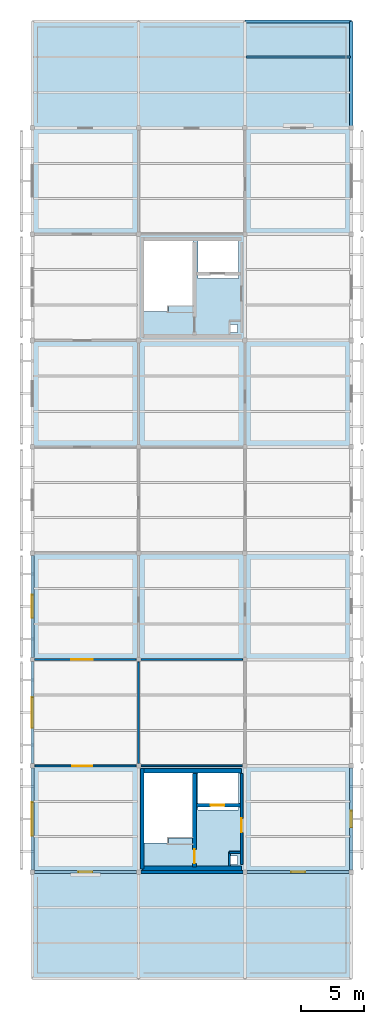
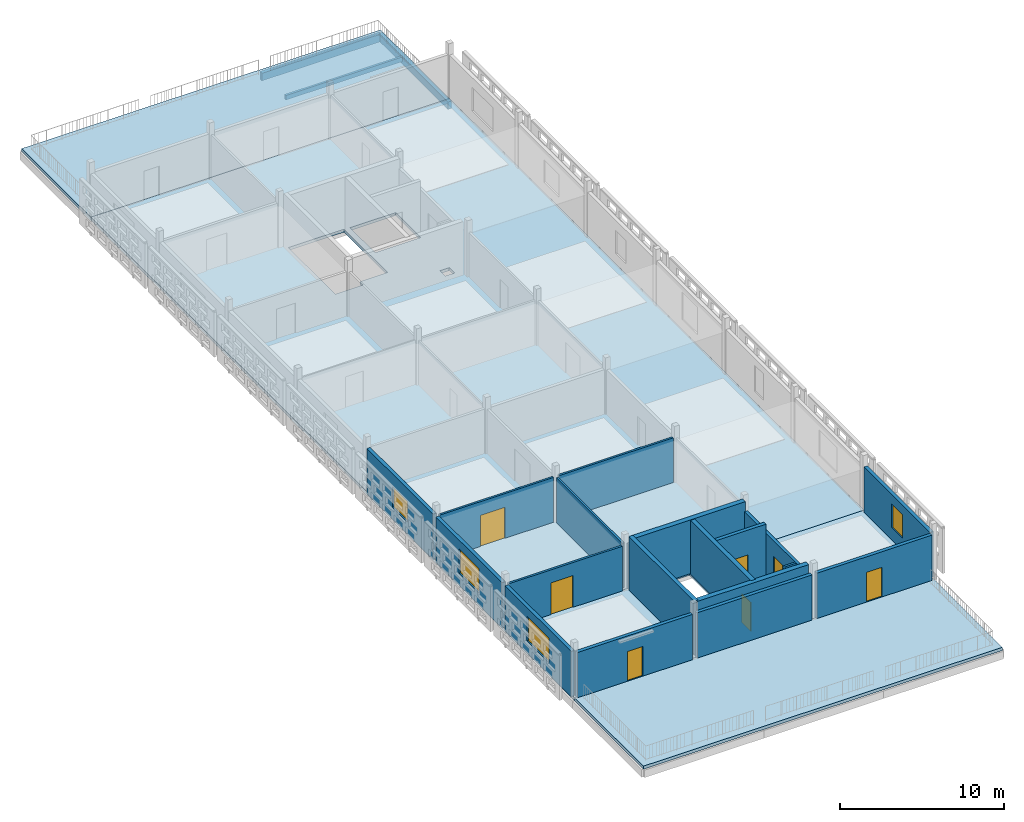
# One storey, part 2 of 13: 20 walls, 7 doors, 4 slabs, 4 windows, 3 beams, 11 openings.
"""IFC4 building model written with IfcOpenShell, lengths in metres."""

from ifc_helpers import new_model, si_unit, direction, frame, frame_2d, origin, origin_2d, place, context, subcontext, project, spatial, polyline, rectangle, outline, extrude, material, layer, layer_set, material_profile, profile_set, type_object, element, fill, save


model = new_model("IFC4")

# Units and contexts
model_context = context("Model", 3, precision=1e-05, world=origin(), true_north=direction((0.0, 1.0)))
body_context = subcontext(model_context, "Body", "Model", "MODEL_VIEW")
ifc_project = project(units=[si_unit("LENGTHUNIT", "METRE"), si_unit("AREAUNIT", "SQUARE_METRE"), si_unit("VOLUMEUNIT", "CUBIC_METRE"), si_unit("PLANEANGLEUNIT", "RADIAN"), si_unit("MASSUNIT", "GRAM", prefix="KILO")], contexts=[model_context])

# Site, building, storey
site_placement = place(None, origin())
site = spatial("IfcSite", under=ifc_project, at=site_placement, CompositionType="ELEMENT")
building_placement = place(site_placement, origin())
building = spatial("IfcBuilding", under=site, at=building_placement, Name="Varnapada Polytechnic", CompositionType="ELEMENT")
storey_placement = place(building_placement, frame((0.0, 0.0, 26.39990234375)))
storey = spatial("IfcBuildingStorey", under=building, at=storey_placement, Name="L06", CompositionType="ELEMENT", Elevation=26.39990234375)

# Beams
ifc_material_1 = material(Name="Glulam GL32h", Category="wood")
ifc_material_profile_1 = material_profile(ifc_material_1, rectangle(XDim=0.239990234375, YDim=0.56005859375, at=origin_2d()), Name="GL 240x560")
ifc_profile_set_1 = profile_set([ifc_material_profile_1], Name="Glulam GL32h")
beam_type_1 = type_object("IfcBeamType", Name="Perimeter glulam spandrel beam SP-02 (GL 240x560)", PredefinedType="SPANDREL", material=ifc_profile_set_1)
for number, where, z_axis, x_axis, name in (
    (1, (16.800048828125, 126.0, -0.510009765625), (1.0, 0.0, 0.0), (0.0, 1.0, 0.0), "L06 beam X 3-4 at Y16"),
    (2, (25.199951171875, 117.60009765625, -0.510009765625), (0.0, 1.0, 0.0), (-1.0, 0.0, 0.0), "L06 beam Y 15-16 at X4"),
):
    element("IfcBeam", number, at=place(storey_placement, frame(where, z_axis=z_axis, x_axis=x_axis)), inside=storey, type_object=beam_type_1, Name=name, PredefinedType="SPANDREL", context=body_context, shape_type="SweptSolid", body=[
        extrude(rectangle(XDim=0.239990234375, YDim=0.56005859375, at=origin_2d()), origin(), (0.0, 0.0, 1.0), 8.39990234375),
    ])
ifc_material_profile_2 = material_profile(ifc_material_1, rectangle(XDim=0.159912109375, YDim=0.340087890625, at=origin_2d()), Name="GL 160x340")
ifc_profile_set_2 = profile_set([ifc_material_profile_2], Name="Glulam GL32h")
beam_type_2 = type_object("IfcBeamType", Name="Top studio light glulam joist GJ-05 (GL 160x340)", PredefinedType="JOIST", material=ifc_profile_set_2)
beam_placement = place(storey_placement, frame((16.8798828125, 123.199951171875, -0.39990234375), z_axis=(1.0, 0.0, 0.0), x_axis=(0.0, 1.0, 0.0)))
element("IfcBeam", 3, at=beam_placement, inside=storey, type_object=beam_type_2, Name="L06 floor joist 3/15.2", PredefinedType="JOIST", context=body_context, shape_type="SweptSolid", body=[
    extrude(rectangle(XDim=0.159912109375, YDim=0.340087890625, at=origin_2d()), origin(), (0.0, 0.0, 1.0), 8.240234375),
])

# Slabs
ifc_material_2 = material(Name="Cross-laminated timber CLT C24", Category="wood")
ifc_layer_1 = layer(ifc_material_2, 0.219970703125)
ifc_layer_set_1 = layer_set([ifc_layer_1], Name="Cross-laminated timber CLT C24")
slab_type_1 = type_object("IfcSlabType", Name="L04..L06 design studio CLT slab SL-08", PredefinedType="FLOOR", material=ifc_layer_set_1)
slab_1_placement = place(storey_placement, frame((0.0, 0.0, -0.219970703125)))
element("IfcSlab", 4, at=slab_1_placement, inside=storey, type_object=slab_type_1, Name="L06 V4 slab 1.1", PredefinedType="FLOOR", context=body_context, shape_type="SweptSolid", body=[
    extrude(outline(polyline([(0.0, 58.800048828125), (0.0, 67.199951171875), (8.39990234375, 67.199951171875), (16.800048828125, 67.199951171875), (25.199951171875, 67.199951171875), (25.199951171875, 58.800048828125), (16.800048828125, 58.800048828125), (8.39990234375, 58.800048828125), (0.0, 58.800048828125)]), holes=[polyline([(8.800048828125, 61.110107421875), (10.75, 61.110107421875), (10.75, 61.510009765625), (12.699951171875, 61.510009765625), (12.699951171875, 66.800048828125), (8.800048828125, 66.800048828125), (8.800048828125, 61.110107421875)]), polyline([(13.10009765625, 63.699951171875), (16.300048828125, 63.699951171875), (16.300048828125, 66.75), (13.10009765625, 66.75), (13.10009765625, 63.699951171875)]), polyline([(15.550048828125, 59.419921875), (16.199951171875, 59.419921875), (16.199951171875, 60.070068359375), (15.550048828125, 60.070068359375), (15.550048828125, 59.419921875)])]), origin(), (0.0, 0.0, 1.0), 0.219970703125),
])
slab_2_placement = place(storey_placement, frame((0.0, 0.0, -0.219970703125)))
element("IfcSlab", 5, at=slab_2_placement, inside=storey, type_object=slab_type_1, Name="L06 V4 slab 2.1", PredefinedType="FLOOR", context=body_context, shape_type="SweptSolid", body=[
    extrude(outline(polyline([(0.0, 84.0), (0.0, 92.39990234375), (0.0, 100.800048828125), (0.0, 109.199951171875), (0.0, 117.60009765625), (8.39990234375, 117.60009765625), (16.800048828125, 117.60009765625), (25.199951171875, 117.60009765625), (25.199951171875, 109.199951171875), (25.199951171875, 100.800048828125), (25.199951171875, 92.39990234375), (25.199951171875, 84.0), (25.199951171875, 75.60009765625), (25.199951171875, 67.199951171875), (16.800048828125, 67.199951171875), (8.39990234375, 67.199951171875), (0.0, 67.199951171875), (0.0, 75.60009765625), (0.0, 84.0)]), holes=[polyline([(8.800048828125, 103.110107421875), (10.75, 103.110107421875), (10.75, 103.510009765625), (12.699951171875, 103.510009765625), (12.699951171875, 108.800048828125), (8.800048828125, 108.800048828125), (8.800048828125, 103.110107421875)]), polyline([(13.10009765625, 105.699951171875), (16.300048828125, 105.699951171875), (16.300048828125, 108.75), (13.10009765625, 108.75), (13.10009765625, 105.699951171875)]), polyline([(15.550048828125, 101.419921875), (16.199951171875, 101.419921875), (16.199951171875, 102.070068359375), (15.550048828125, 102.070068359375), (15.550048828125, 101.419921875)])]), origin(), (0.0, 0.0, 1.0), 0.219970703125),
])
ifc_layer_2 = layer(ifc_material_2, 0.22998046875)
ifc_layer_set_2 = layer_set([ifc_layer_2], Name="Cross-laminated timber CLT C24")
slab_type_2 = type_object("IfcSlabType", Name="L04..L06 occupied studio roof terrace slab SL-10", PredefinedType="FLOOR", material=ifc_layer_set_2)
slab_3_placement = place(storey_placement, frame((0.0, 0.0, -0.22998046875)))
element("IfcSlab", 6, at=slab_3_placement, inside=storey, type_object=slab_type_2, Name="L06 V4_CROWN_TERRACE slab 1.1", PredefinedType="FLOOR", context=body_context, shape_type="SweptSolid", body=[
    extrude(outline(polyline([(0.0, 58.800048828125), (8.39990234375, 58.800048828125), (16.800048828125, 58.800048828125), (25.199951171875, 58.800048828125), (25.199951171875, 50.39990234375), (16.800048828125, 50.39990234375), (8.39990234375, 50.39990234375), (0.0, 50.39990234375), (0.0, 58.800048828125)])), origin(), (0.0, 0.0, 1.0), 0.22998046875),
])
slab_4_placement = place(storey_placement, frame((0.0, 0.0, -0.22998046875)))
element("IfcSlab", 7, at=slab_4_placement, inside=storey, type_object=slab_type_2, Name="L06 V4_CROWN_TERRACE slab 1.2", PredefinedType="FLOOR", context=body_context, shape_type="SweptSolid", body=[
    extrude(outline(polyline([(0.0, 126.0), (8.39990234375, 126.0), (16.800048828125, 126.0), (25.199951171875, 126.0), (25.199951171875, 117.60009765625), (16.800048828125, 117.60009765625), (8.39990234375, 117.60009765625), (0.0, 117.60009765625), (0.0, 126.0)])), origin(), (0.0, 0.0, 1.0), 0.22998046875),
])

# Wall, opening, door
ifc_material_3 = material(Name="Autoclaved Aerated Concrete Block AAC-600", Category="concrete")
ifc_layer_3 = layer(ifc_material_3, 0.199951171875)
ifc_layer_set_3 = layer_set([ifc_layer_3], Name="Autoclaved Aerated Concrete Block AAC-600")
wall_type_1 = type_object("IfcWallType", Name="Interior Wall IW-01", PredefinedType="PARTITIONING", material=ifc_layer_set_3)
wall_1_placement = place(storey_placement, frame((16.5400390625, 66.60009765625, 0.0), z_axis=(0.0, 0.0, 1.0), x_axis=(0.0, -1.0, 0.0)))
wall_1 = element("IfcWall", 8, at=wall_1_placement, inside=storey, type_object=wall_type_1, Name="L06 C2 firefighting lobby east wall", PredefinedType="PARTITIONING", context=body_context, shape_type="SweptSolid", body=[
    extrude(rectangle(XDim=7.2001953125, YDim=0.199951171875, at=frame_2d((3.60009765625, 0.0))), origin(), (0.0, 0.0, 1.0), 3.320068359375),
])
opening_1_placement = place(wall_1_placement, frame((3.550048828125, 0.0, 0.0)))
opening_1 = element("IfcOpeningElement", 9, at=opening_1_placement, cuts=wall_1, Name="Opening D-1332", PredefinedType="OPENING", context=body_context, shape_type="SweptSolid", body=[
    extrude(rectangle(XDim=1.10009765625, YDim=2.14990234375, at=frame_2d((0.550048828125, 1.074951171875))), frame((0.0, 0.10986328125, 0.0), z_axis=(0.0, -1.0, 0.0), x_axis=(1.0, 0.0, 0.0)), (0.0, 0.0, 1.0), 0.219970703125),
])
ifc_material_4 = material(Name="Galvanized Steel Z275", Category="steel")
door_type_1 = type_object("IfcDoorType", Name="Interior Door ID-01", OperationType="NOTDEFINED", PredefinedType="DOOR", material=ifc_material_4)
door_1_placement = place(opening_1_placement, frame((1.10009765625, 0.0, 0.0), z_axis=(0.0, 0.0, 1.0), x_axis=(-1.0, 0.0, 0.0)))
door_1 = element("IfcDoor", 10, at=door_1_placement, inside=storey, type_object=door_type_1, Name="L06 C2 lobby fire door D-1332", OperationType="SINGLE_SWING_RIGHT", OverallHeight=2.14990234375, OverallWidth=1.10009765625, PredefinedType="DOOR", context=body_context, shape_type="SweptSolid", body=[
    extrude(rectangle(XDim=1.10009765625, YDim=2.14990234375, at=frame_2d((0.550048828125, 1.074951171875))), frame((0.0, 0.02490234375, 0.0), z_axis=(0.0, -1.0, 0.0), x_axis=(1.0, 0.0, 0.0)), (0.0, 0.0, 1.0), 0.050048828125),
])
fill(opening_1, door_1)

# Walls
ifc_layer_4 = layer(ifc_material_3, 0.14990234375)
ifc_layer_set_4 = layer_set([ifc_layer_4], Name="Autoclaved Aerated Concrete Block AAC-600")
wall_type_2 = type_object("IfcWallType", Name="Interior Wall IW-02", PredefinedType="PARTITIONING", material=ifc_layer_set_4)
wall_2_placement = place(storey_placement, frame((15.580078125, 60.360107421875, 0.0), z_axis=(0.0, 0.0, 1.0), x_axis=(0.0, -1.0, 0.0)))
element("IfcWall", 11, at=wall_2_placement, inside=storey, type_object=wall_type_2, Name="L06 C2 riser shaft west wall", PredefinedType="PARTITIONING", context=body_context, shape_type="SweptSolid", body=[
    extrude(rectangle(XDim=1.06005859375, YDim=0.14990234375, at=frame_2d((0.530029296875, 0.0))), origin(), (0.0, 0.0, 1.0), 3.320068359375),
])
wall_3_placement = place(storey_placement, frame((15.580078125, 60.360107421875, 0.0), z_axis=(0.0, 0.0, 1.0), x_axis=(1.0, 0.0, 0.0)))
element("IfcWall", 12, at=wall_3_placement, inside=storey, type_object=wall_type_2, Name="L06 C2 riser shaft north wall", PredefinedType="PARTITIONING", context=body_context, shape_type="SweptSolid", body=[
    extrude(rectangle(XDim=0.85986328125, YDim=0.14990234375, at=frame_2d((0.429931640625, 0.0))), origin(), (0.0, 0.0, 1.0), 3.320068359375),
])

# Wall, opening, door
wall_4_placement = place(storey_placement, frame((0.199951171875, 67.199951171875, 0.0), z_axis=(0.0, 0.0, 1.0), x_axis=(1.0, 0.0, 0.0)))
wall_4 = element("IfcWall", 13, at=wall_4_placement, inside=storey, type_object=wall_type_2, Name="L06 interior partition IW-L06-00-07-H", PredefinedType="PARTITIONING", context=body_context, shape_type="SweptSolid", body=[
    extrude(rectangle(XDim=8.0, YDim=0.14990234375, at=frame_2d((4.0, 0.0))), origin(), (0.0, 0.0, 1.0), 3.320068359375),
])
opening_2_placement = place(wall_4_placement, frame((2.97509765625, 0.0, 0.0)))
opening_2 = element("IfcOpeningElement", 14, at=opening_2_placement, cuts=wall_4, Name="Opening D-1336", PredefinedType="OPENING", context=body_context, shape_type="SweptSolid", body=[
    extrude(rectangle(XDim=1.550048828125, YDim=2.35009765625, at=frame_2d((0.77490234375, 1.175048828125))), frame((0.0, 0.0849609375, 0.0), z_axis=(0.0, -1.0, 0.0), x_axis=(1.0, 0.0, 0.0)), (0.0, 0.0, 1.0), 0.169921875),
])
door_type_2 = type_object("IfcDoorType", Name="Interior Door ID-12", OperationType="NOTDEFINED", PredefinedType="DOOR", material=ifc_material_4)
door_2_placement = place(opening_2_placement, origin())
door_2 = element("IfcDoor", 15, at=door_2_placement, inside=storey, type_object=door_type_2, Name="L06 interior room door D-1336", OperationType="SINGLE_SWING_LEFT", OverallHeight=2.35009765625, OverallWidth=1.550048828125, PredefinedType="DOOR", context=body_context, shape_type="SweptSolid", body=[
    extrude(rectangle(XDim=1.550048828125, YDim=2.35009765625, at=frame_2d((0.77490234375, 1.175048828125))), frame((0.0, 0.02490234375, 0.0), z_axis=(0.0, -1.0, 0.0), x_axis=(1.0, 0.0, 0.0)), (0.0, 0.0, 1.0), 0.050048828125),
])
fill(opening_2, door_2)

# Wall
ifc_material_5 = material(Name="Moisture-Resistant Cement Board Partition")
ifc_layer_5 = layer(ifc_material_5, 0.139892578125)
ifc_layer_set_5 = layer_set([ifc_layer_5], Name="Moisture-Resistant Cement Board Partition")
wall_type_3 = type_object("IfcWallType", Name="Interior Wall IW-04", PredefinedType="PARTITIONING", material=ifc_layer_set_5)
wall_5_placement = place(storey_placement, frame((8.39990234375, 67.39990234375, 0.0), z_axis=(0.0, 0.0, 1.0), x_axis=(0.0, 1.0, 0.0)))
element("IfcWall", 16, at=wall_5_placement, inside=storey, type_object=wall_type_3, Name="L06 interior partition IW-L06-00-08-V", PredefinedType="PARTITIONING", context=body_context, shape_type="SweptSolid", body=[
    extrude(rectangle(XDim=8.010009765625, YDim=0.139892578125, at=frame_2d((4.0048828125, 0.0))), origin(), (0.0, 0.0, 1.0), 3.320068359375),
])

# Wall, opening, door
wall_6_placement = place(storey_placement, frame((0.18994140625, 75.60009765625, 0.0), z_axis=(0.0, 0.0, 1.0), x_axis=(1.0, 0.0, 0.0)))
wall_6 = element("IfcWall", 17, at=wall_6_placement, inside=storey, type_object=wall_type_3, Name="L06 interior partition IW-L06-00-08-H", PredefinedType="PARTITIONING", context=body_context, shape_type="SweptSolid", body=[
    extrude(rectangle(XDim=8.02001953125, YDim=0.139892578125, at=frame_2d((4.010009765625, 0.0))), origin(), (0.0, 0.0, 1.0), 3.320068359375),
])
opening_3_placement = place(wall_6_placement, frame((2.89990234375, 0.0, 0.0)))
opening_3 = element("IfcOpeningElement", 18, at=opening_3_placement, cuts=wall_6, Name="Opening D-1337", PredefinedType="OPENING", context=body_context, shape_type="SweptSolid", body=[
    extrude(rectangle(XDim=1.699951171875, YDim=2.300048828125, at=frame_2d((0.85009765625, 1.14990234375))), frame((0.0, 0.079833984375, 0.0), z_axis=(0.0, -1.0, 0.0), x_axis=(1.0, 0.0, 0.0)), (0.0, 0.0, 1.0), 0.159912109375),
])
ifc_material_6 = material(Name="Acoustic Double Timber Leaf", Category="wood")
door_type_3 = type_object("IfcDoorType", Name="Interior Door ID-13", OperationType="NOTDEFINED", PredefinedType="DOOR", material=ifc_material_6)
door_3_placement = place(opening_3_placement, frame((1.699951171875, 0.0, 0.0), z_axis=(0.0, 0.0, 1.0), x_axis=(-1.0, 0.0, 0.0)))
door_3 = element("IfcDoor", 19, at=door_3_placement, inside=storey, type_object=door_type_3, Name="L06 interior room door D-1337", OperationType="SINGLE_SWING_RIGHT", OverallHeight=2.300048828125, OverallWidth=1.699951171875, PredefinedType="DOOR", context=body_context, shape_type="SweptSolid", body=[
    extrude(rectangle(XDim=1.699951171875, YDim=2.300048828125, at=frame_2d((0.85009765625, 1.14990234375))), frame((0.0, 0.02490234375, 0.0), z_axis=(0.0, -1.0, 0.0), x_axis=(1.0, 0.0, 0.0)), (0.0, 0.0, 1.0), 0.050048828125),
])
fill(opening_3, door_3)

# Walls
wall_7_placement = place(storey_placement, frame((8.60009765625, 67.199951171875, 0.0), z_axis=(0.0, 0.0, 1.0), x_axis=(1.0, 0.0, 0.0)))
element("IfcWall", 20, at=wall_7_placement, inside=storey, type_object=wall_type_3, Name="L06 interior partition IW-L06-01-07-H", PredefinedType="PARTITIONING", context=body_context, shape_type="SweptSolid", body=[
    extrude(rectangle(XDim=8.0, YDim=0.139892578125, at=frame_2d((4.0, 0.0))), origin(), (0.0, 0.0, 1.0), 3.320068359375),
])
wall_8_placement = place(storey_placement, frame((8.590087890625, 75.60009765625, 0.0), z_axis=(0.0, 0.0, 1.0), x_axis=(1.0, 0.0, 0.0)))
element("IfcWall", 21, at=wall_8_placement, inside=storey, type_object=wall_type_3, Name="L06 interior partition IW-L06-01-08-H", PredefinedType="PARTITIONING", context=body_context, shape_type="SweptSolid", body=[
    extrude(rectangle(XDim=8.02001953125, YDim=0.139892578125, at=frame_2d((4.010009765625, 0.0))), origin(), (0.0, 0.0, 1.0), 3.320068359375),
])
ifc_material_7 = material(Name="Concrete C40/50", Category="concrete")
ifc_layer_6 = layer(ifc_material_7, 0.35009765625)
ifc_layer_set_6 = layer_set([ifc_layer_6], Name="Concrete C40/50")
wall_type_4 = type_object("IfcWallType", Name="Interior Wall SW-01", PredefinedType="SHEAR", material=ifc_layer_set_6)
for number, where, z_axis, x_axis, name in (
    (22, (8.699951171875, 66.820068359375, 0.0), (0.0, 0.0, 1.0), (1.0, 0.0, 0.0), "L06 C2 core north shear wall"),
    (23, (16.5400390625, 59.1201171875, 0.0), (0.0, 0.0, 1.0), (-1.0, 0.0, 0.0), "L06 C2 core south shear wall"),
):
    element("IfcWall", number, at=place(storey_placement, frame(where, z_axis=z_axis, x_axis=x_axis)), inside=storey, type_object=wall_type_4, Name=name, PredefinedType="SHEAR", context=body_context, shape_type="SweptSolid", body=[
        extrude(rectangle(XDim=7.840087890625, YDim=0.35009765625, at=frame_2d((3.919921875, 0.0))), origin(), (0.0, 0.0, 1.0), 3.989990234375),
    ])

# Wall, opening, door
ifc_layer_7 = layer(ifc_material_7, 0.300048828125)
ifc_layer_set_7 = layer_set([ifc_layer_7], Name="Concrete C40/50")
wall_type_5 = type_object("IfcWallType", Name="Interior Wall SW-02", PredefinedType="SHEAR", material=ifc_layer_set_7)
wall_9_placement = place(storey_placement, frame((12.81005859375, 59.219970703125, 0.0), z_axis=(0.0, 0.0, 1.0), x_axis=(0.0, 1.0, 0.0)))
wall_9 = element("IfcWall", 24, at=wall_9_placement, inside=storey, type_object=wall_type_5, Name="L06 C2 stair-lobby dividing shear wall", PredefinedType="SHEAR", context=body_context, shape_type="SweptSolid", body=[
    extrude(rectangle(XDim=7.380126953125, YDim=0.300048828125, at=frame_2d((3.68994140625, 0.0))), origin(), (0.0, 0.0, 1.0), 3.989990234375),
])
opening_4_placement = place(wall_9_placement, frame((0.280029296875, 0.0, 0.0)))
opening_4 = element("IfcOpeningElement", 25, at=opening_4_placement, cuts=wall_9, Name="Opening D-1333", PredefinedType="OPENING", context=body_context, shape_type="SweptSolid", body=[
    extrude(rectangle(XDim=1.10009765625, YDim=2.14990234375, at=frame_2d((0.550048828125, 1.074951171875))), frame((0.0, 0.159912109375, 0.0), z_axis=(0.0, -1.0, 0.0), x_axis=(1.0, 0.0, 0.0)), (0.0, 0.0, 1.0), 0.320068359375),
])
door_4_placement = place(opening_4_placement, origin())
door_4 = element("IfcDoor", 26, at=door_4_placement, inside=storey, type_object=door_type_1, Name="L06 C2 exit stair door D-1333", OperationType="SINGLE_SWING_RIGHT", OverallHeight=2.14990234375, OverallWidth=1.10009765625, PredefinedType="DOOR", context=body_context, shape_type="SweptSolid", body=[
    extrude(rectangle(XDim=1.10009765625, YDim=2.14990234375, at=frame_2d((0.550048828125, 1.074951171875))), frame((0.0, 0.02490234375, 0.0), z_axis=(0.0, -1.0, 0.0), x_axis=(1.0, 0.0, 0.0)), (0.0, 0.0, 1.0), 0.050048828125),
])
fill(opening_4, door_4)

# Wall
ifc_layer_8 = layer(ifc_material_7, 0.280029296875)
ifc_layer_set_8 = layer_set([ifc_layer_8], Name="Concrete C40/50")
wall_type_6 = type_object("IfcWallType", Name="Interior Wall SW-04", PredefinedType="SHEAR", material=ifc_layer_set_8)
wall_10_placement = place(storey_placement, frame((8.699951171875, 59.050048828125, 0.0), z_axis=(0.0, 0.0, 1.0), x_axis=(0.0, 1.0, 0.0)))
element("IfcWall", 27, at=wall_10_placement, inside=storey, type_object=wall_type_6, Name="L06 C2 stair west shear wall", PredefinedType="SHEAR", context=body_context, shape_type="SweptSolid", body=[
    extrude(rectangle(XDim=7.93994140625, YDim=0.280029296875, at=frame_2d((3.969970703125, 0.0))), origin(), (0.0, 0.0, 1.0), 3.989990234375),
])

# Wall, opening, door
ifc_layer_9 = layer(ifc_material_7, 0.25)
ifc_layer_set_9 = layer_set([ifc_layer_9], Name="Concrete C40/50")
wall_type_7 = type_object("IfcWallType", Name="Interior Wall SW-05", PredefinedType="SHEAR", material=ifc_layer_set_9)
wall_11_placement = place(storey_placement, frame((12.97998046875, 64.080078125, 0.0), z_axis=(0.0, 0.0, 1.0), x_axis=(1.0, 0.0, 0.0)))
wall_11 = element("IfcWall", 28, at=wall_11_placement, inside=storey, type_object=wall_type_7, Name="L06 C2 lift shaft front wall", PredefinedType="SHEAR", context=body_context, shape_type="SweptSolid", body=[
    extrude(rectangle(XDim=3.4599609375, YDim=0.25, at=frame_2d((1.72998046875, 0.0))), origin(), (0.0, 0.0, 1.0), 3.989990234375),
])
opening_5_placement = place(wall_11_placement, frame((1.10009765625, 0.0, 0.0)))
opening_5 = element("IfcOpeningElement", 29, at=opening_5_placement, cuts=wall_11, Name="Opening LD-036", PredefinedType="OPENING", context=body_context, shape_type="SweptSolid", body=[
    extrude(rectangle(XDim=1.10009765625, YDim=2.14990234375, at=frame_2d((0.550048828125, 1.074951171875))), frame((0.0, 0.135009765625, 0.0), z_axis=(0.0, -1.0, 0.0), x_axis=(1.0, 0.0, 0.0)), (0.0, 0.0, 1.0), 0.27001953125),
])
ifc_material_8 = material(Name="Brushed Stainless Steel 316", Category="steel")
door_type_4 = type_object("IfcDoorType", Name="Interior Door LD-01", OperationType="NOTDEFINED", PredefinedType="DOOR", material=ifc_material_8)
door_5_placement = place(opening_5_placement, origin())
door_5 = element("IfcDoor", 30, at=door_5_placement, inside=storey, type_object=door_type_4, Name="L06 LFT-02 sliding lift landing door LD-036", OperationType="DOUBLE_DOOR_SLIDING", OverallHeight=2.14990234375, OverallWidth=1.10009765625, PredefinedType="DOOR", context=body_context, shape_type="SweptSolid", body=[
    extrude(rectangle(XDim=1.10009765625, YDim=2.14990234375, at=frame_2d((0.550048828125, 1.074951171875))), frame((0.0, 0.02490234375, 0.0), z_axis=(0.0, -1.0, 0.0), x_axis=(1.0, 0.0, 0.0)), (0.0, 0.0, 1.0), 0.050048828125),
])
fill(opening_5, door_5)

ifc_material_9 = material(Name="Precast concrete C40/50", Category="concrete")
ifc_layer_10 = layer(ifc_material_9, 0.239990234375)
ifc_layer_set_10 = layer_set([ifc_layer_10], Name="Precast concrete C40/50")
wall_type_8 = type_object("IfcWallType", Name="Wall EW-06", PredefinedType="SOLIDWALL", material=ifc_layer_set_10)
wall_12_placement = place(storey_placement, frame((8.22998046875, 58.800048828125, 0.0), z_axis=(0.0, 0.0, 1.0), x_axis=(-1.0, 0.0, 0.0)))
wall_12 = element("IfcWall", 31, at=wall_12_placement, inside=storey, type_object=wall_type_8, Name="L06 exterior wall EW-06 (1)", PredefinedType="SOLIDWALL", context=body_context, shape_type="SweptSolid", body=[
    extrude(rectangle(XDim=8.06005859375, YDim=0.239990234375, at=frame_2d((4.030029296875, 0.0))), origin(), (0.0, 0.0, 1.0), 3.360107421875),
])
opening_6_placement = place(wall_12_placement, frame((3.47998046875, 0.0, 0.0)))
opening_6 = element("IfcOpeningElement", 32, at=opening_6_placement, cuts=wall_12, Name="Opening D-060", PredefinedType="OPENING", context=body_context, shape_type="SweptSolid", body=[
    extrude(rectangle(XDim=1.10009765625, YDim=2.199951171875, at=frame_2d((0.550048828125, 1.10009765625))), frame((0.0, 0.1298828125, 0.0), z_axis=(0.0, -1.0, 0.0), x_axis=(1.0, 0.0, 0.0)), (0.0, 0.0, 1.0), 0.260009765625),
])
ifc_material_10 = material(Name="Anodised aluminium and laminated glass", Category="aluminium")
door_type_5 = type_object("IfcDoorType", Name="Exterior Door ED-03", OperationType="NOTDEFINED", PredefinedType="DOOR", material=ifc_material_10)
door_6_placement = place(opening_6_placement, origin())
door_6 = element("IfcDoor", 33, at=door_6_placement, inside=storey, type_object=door_type_5, Name="L06 roof terrace access door D-060", OperationType="SINGLE_SWING_RIGHT", OverallHeight=2.199951171875, OverallWidth=1.10009765625, PredefinedType="DOOR", context=body_context, shape_type="SweptSolid", body=[
    extrude(rectangle(XDim=1.10009765625, YDim=2.199951171875, at=frame_2d((0.550048828125, 1.10009765625))), frame((0.0, 0.02490234375, 0.0), z_axis=(0.0, -1.0, 0.0), x_axis=(1.0, 0.0, 0.0)), (0.0, 0.0, 1.0), 0.050048828125),
])
fill(opening_6, door_6)

# Wall, opening, window
wall_13_placement = place(storey_placement, frame((0.0, 58.969970703125, 0.0), z_axis=(0.0, 0.0, 1.0), x_axis=(0.0, 1.0, 0.0)))
wall_13 = element("IfcWall", 34, at=wall_13_placement, inside=storey, type_object=wall_type_8, Name="L06 exterior wall EW-06 (2)", PredefinedType="SOLIDWALL", context=body_context, shape_type="SweptSolid", body=[
    extrude(rectangle(XDim=8.050048828125, YDim=0.239990234375, at=frame_2d((4.02490234375, 0.0))), origin(), (0.0, 0.0, 1.0), 3.360107421875),
])
opening_7_placement = place(wall_13_placement, frame((2.699951171875, 0.0, 0.89990234375)))
opening_7 = element("IfcOpeningElement", 35, at=opening_7_placement, cuts=wall_13, Name="Opening WN-35", PredefinedType="OPENING", context=body_context, shape_type="SweptSolid", body=[
    extrude(rectangle(XDim=2.64990234375, YDim=1.800048828125, at=frame_2d((1.324951171875, 0.89990234375))), frame((0.0, 0.1298828125, 0.0), z_axis=(0.0, -1.0, 0.0), x_axis=(1.0, 0.0, 0.0)), (0.0, 0.0, 1.0), 0.260009765625),
])
ifc_material_11 = material(Name="Double low-E laminated glass", Category="glass")
window_type_1 = type_object("IfcWindowType", Name="Window WN-35", PartitioningType="SINGLE_PANEL", PredefinedType="WINDOW", material=ifc_material_11)
window_1_placement = place(opening_7_placement, origin())
window_1 = element("IfcWindow", 36, at=window_1_placement, inside=storey, type_object=window_type_1, Name="L06 window WN-35 (248)", OverallHeight=1.800048828125, OverallWidth=2.64990234375, PartitioningType="SINGLE_PANEL", PredefinedType="WINDOW", context=body_context, shape_type="SweptSolid", body=[
    extrude(rectangle(XDim=2.64990234375, YDim=1.800048828125, at=frame_2d((1.324951171875, 0.89990234375))), frame((0.0, 0.030029296875, 0.0), z_axis=(0.0, -1.0, 0.0), x_axis=(1.0, 0.0, 0.0)), (0.0, 0.0, 1.0), 0.06005859375),
])
fill(opening_7, window_1)

wall_14_placement = place(storey_placement, frame((0.0, 67.3798828125, 0.0), z_axis=(0.0, 0.0, 1.0), x_axis=(0.0, 1.0, 0.0)))
wall_14 = element("IfcWall", 37, at=wall_14_placement, inside=storey, type_object=wall_type_8, Name="L06 exterior wall EW-06 (3)", PredefinedType="SOLIDWALL", context=body_context, shape_type="SweptSolid", body=[
    extrude(rectangle(XDim=8.050048828125, YDim=0.239990234375, at=frame_2d((4.02490234375, 0.0))), origin(), (0.0, 0.0, 1.0), 3.360107421875),
])
opening_8_placement = place(wall_14_placement, frame((2.824951171875, 0.0, 0.89990234375)))
opening_8 = element("IfcOpeningElement", 38, at=opening_8_placement, cuts=wall_14, Name="Opening WN-02", PredefinedType="OPENING", context=body_context, shape_type="SweptSolid", body=[
    extrude(rectangle(XDim=2.39990234375, YDim=1.800048828125, at=frame_2d((1.199951171875, 0.89990234375))), frame((0.0, 0.1298828125, 0.0), z_axis=(0.0, -1.0, 0.0), x_axis=(1.0, 0.0, 0.0)), (0.0, 0.0, 1.0), 0.260009765625),
])
window_type_2 = type_object("IfcWindowType", Name="Window WN-02", PartitioningType="SINGLE_PANEL", PredefinedType="WINDOW", material=ifc_material_11)
window_2_placement = place(opening_8_placement, origin())
window_2 = element("IfcWindow", 39, at=window_2_placement, inside=storey, type_object=window_type_2, Name="L06 window WN-02 (249)", OverallHeight=1.800048828125, OverallWidth=2.39990234375, PartitioningType="SINGLE_PANEL", PredefinedType="WINDOW", context=body_context, shape_type="SweptSolid", body=[
    extrude(rectangle(XDim=2.39990234375, YDim=1.800048828125, at=frame_2d((1.199951171875, 0.89990234375))), frame((0.0, 0.030029296875, 0.0), z_axis=(0.0, -1.0, 0.0), x_axis=(1.0, 0.0, 0.0)), (0.0, 0.0, 1.0), 0.06005859375),
])
fill(opening_8, window_2)

wall_15_placement = place(storey_placement, frame((0.0, 75.77001953125, 0.0), z_axis=(0.0, 0.0, 1.0), x_axis=(0.0, 1.0, 0.0)))
wall_15 = element("IfcWall", 40, at=wall_15_placement, inside=storey, type_object=wall_type_8, Name="L06 exterior wall EW-06 (4)", PredefinedType="SOLIDWALL", context=body_context, shape_type="SweptSolid", body=[
    extrude(rectangle(XDim=8.050048828125, YDim=0.239990234375, at=frame_2d((4.02490234375, 0.0))), origin(), (0.0, 0.0, 1.0), 3.360107421875),
])
opening_9_placement = place(wall_15_placement, frame((3.125, 0.0, 0.89990234375)))
opening_9 = element("IfcOpeningElement", 41, at=opening_9_placement, cuts=wall_15, Name="Opening WN-05", PredefinedType="OPENING", context=body_context, shape_type="SweptSolid", body=[
    extrude(rectangle(XDim=1.800048828125, YDim=1.5, at=frame_2d((0.89990234375, 0.75))), frame((0.0, 0.1298828125, 0.0), z_axis=(0.0, -1.0, 0.0), x_axis=(1.0, 0.0, 0.0)), (0.0, 0.0, 1.0), 0.260009765625),
])
window_type_3 = type_object("IfcWindowType", Name="Window WN-05", PartitioningType="SINGLE_PANEL", PredefinedType="WINDOW", material=ifc_material_11)
window_3_placement = place(opening_9_placement, origin())
window_3 = element("IfcWindow", 42, at=window_3_placement, inside=storey, type_object=window_type_3, Name="L06 window WN-05 (250)", OverallHeight=1.5, OverallWidth=1.800048828125, PartitioningType="SINGLE_PANEL", PredefinedType="WINDOW", context=body_context, shape_type="SweptSolid", body=[
    extrude(rectangle(XDim=1.800048828125, YDim=1.5, at=frame_2d((0.89990234375, 0.75))), frame((0.0, 0.030029296875, 0.0), z_axis=(0.0, -1.0, 0.0), x_axis=(1.0, 0.0, 0.0)), (0.0, 0.0, 1.0), 0.06005859375),
])
fill(opening_9, window_3)

# Wall
wall_16_placement = place(storey_placement, frame((16.6298828125, 58.800048828125, 0.0), z_axis=(0.0, 0.0, 1.0), x_axis=(-1.0, 0.0, 0.0)))
element("IfcWall", 43, at=wall_16_placement, inside=storey, type_object=wall_type_8, Name="L06 exterior wall EW-06 (10)", PredefinedType="SOLIDWALL", context=body_context, shape_type="SweptSolid", body=[
    extrude(rectangle(XDim=8.059814453125, YDim=0.239990234375, at=frame_2d((4.02978515625, 0.0))), origin(), (0.0, 0.0, 1.0), 3.360107421875),
])

# Wall, opening, door
wall_17_placement = place(storey_placement, frame((25.030029296875, 58.800048828125, 0.0), z_axis=(0.0, 0.0, 1.0), x_axis=(-1.0, 0.0, 0.0)))
wall_17 = element("IfcWall", 44, at=wall_17_placement, inside=storey, type_object=wall_type_8, Name="L06 exterior wall EW-06 (12)", PredefinedType="SOLIDWALL", context=body_context, shape_type="SweptSolid", body=[
    extrude(rectangle(XDim=8.06005859375, YDim=0.239990234375, at=frame_2d((4.030029296875, 0.0))), origin(), (0.0, 0.0, 1.0), 3.360107421875),
])
opening_10_placement = place(wall_17_placement, frame((3.47998046875, 0.0, 0.0)))
opening_10 = element("IfcOpeningElement", 45, at=opening_10_placement, cuts=wall_17, Name="Opening D-063", PredefinedType="OPENING", context=body_context, shape_type="SweptSolid", body=[
    extrude(rectangle(XDim=1.10009765625, YDim=2.199951171875, at=frame_2d((0.550048828125, 1.10009765625))), frame((0.0, 0.1298828125, 0.0), z_axis=(0.0, -1.0, 0.0), x_axis=(1.0, 0.0, 0.0)), (0.0, 0.0, 1.0), 0.260009765625),
])
door_7_placement = place(opening_10_placement, origin())
door_7 = element("IfcDoor", 46, at=door_7_placement, inside=storey, type_object=door_type_5, Name="L06 roof terrace access door D-063", OperationType="SINGLE_SWING_LEFT", OverallHeight=2.199951171875, OverallWidth=1.10009765625, PredefinedType="DOOR", context=body_context, shape_type="SweptSolid", body=[
    extrude(rectangle(XDim=1.10009765625, YDim=2.199951171875, at=frame_2d((0.550048828125, 1.10009765625))), frame((0.0, 0.02490234375, 0.0), z_axis=(0.0, -1.0, 0.0), x_axis=(1.0, 0.0, 0.0)), (0.0, 0.0, 1.0), 0.050048828125),
])
fill(opening_10, door_7)

# Wall, opening, window
wall_18_placement = place(storey_placement, frame((25.199951171875, 67.02001953125, 0.0), z_axis=(0.0, 0.0, 1.0), x_axis=(0.0, -1.0, 0.0)))
wall_18 = element("IfcWall", 47, at=wall_18_placement, inside=storey, type_object=wall_type_8, Name="L06 exterior wall EW-06 (13)", PredefinedType="SOLIDWALL", context=body_context, shape_type="SweptSolid", body=[
    extrude(rectangle(XDim=8.050048828125, YDim=0.239990234375, at=frame_2d((4.02490234375, 0.0))), origin(), (0.0, 0.0, 1.0), 3.360107421875),
])
opening_11_placement = place(wall_18_placement, frame((3.375, 0.0, 0.89990234375)))
opening_11 = element("IfcOpeningElement", 48, at=opening_11_placement, cuts=wall_18, Name="Opening WN-09", PredefinedType="OPENING", context=body_context, shape_type="SweptSolid", body=[
    extrude(rectangle(XDim=1.300048828125, YDim=1.75, at=frame_2d((0.64990234375, 0.875))), frame((0.0, 0.1298828125, 0.0), z_axis=(0.0, -1.0, 0.0), x_axis=(1.0, 0.0, 0.0)), (0.0, 0.0, 1.0), 0.260009765625),
])
window_type_4 = type_object("IfcWindowType", Name="Window WN-09", PartitioningType="SINGLE_PANEL", PredefinedType="WINDOW", material=ifc_material_11)
window_4_placement = place(opening_11_placement, origin())
window_4 = element("IfcWindow", 49, at=window_4_placement, inside=storey, type_object=window_type_4, Name="L06 window WN-09 (255)", OverallHeight=1.75, OverallWidth=1.300048828125, PartitioningType="SINGLE_PANEL", PredefinedType="WINDOW", context=body_context, shape_type="SweptSolid", body=[
    extrude(rectangle(XDim=1.300048828125, YDim=1.75, at=frame_2d((0.64990234375, 0.875))), frame((0.0, 0.030029296875, 0.0), z_axis=(0.0, -1.0, 0.0), x_axis=(1.0, 0.0, 0.0)), (0.0, 0.0, 1.0), 0.06005859375),
])
fill(opening_11, window_4)

save(model, "model.ifc")
